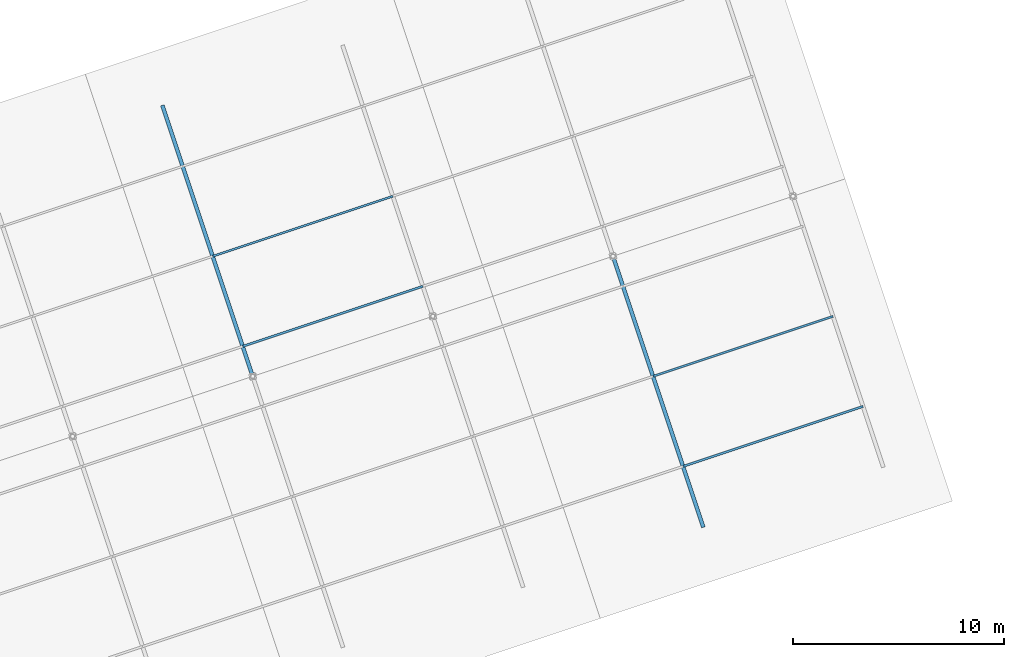
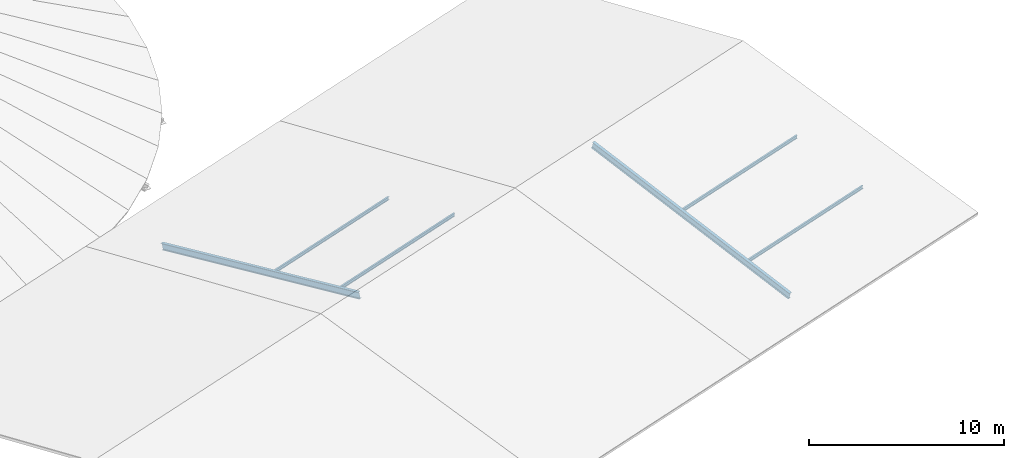
# One storey, part 28 of 107: 6 members.
"""IFC4 building model written with IfcOpenShell, lengths in metres."""

from ifc_helpers import new_model, si_unit, derived_unit, direction, frame, origin, origin_2d, place, context, subcontext, project, spatial, i_section, extrude, material, material_profile, profile_set, type_object, element, save


model = new_model("IFC4")

# Units and contexts
model_context = context("Model", 3, precision=1e-05, world=origin(), true_north=direction((0.0, 1.0)))
body_context = subcontext(model_context, "Body", "Model", "MODEL_VIEW")
ifc_project = project(units=[si_unit("LENGTHUNIT", "METRE"), si_unit("AREAUNIT", "SQUARE_METRE"), si_unit("VOLUMEUNIT", "CUBIC_METRE"), si_unit("PLANEANGLEUNIT", "RADIAN"), si_unit("MASSUNIT", "GRAM", prefix="KILO"), si_unit("THERMODYNAMICTEMPERATUREUNIT", "KELVIN"), si_unit("TIMEUNIT", "SECOND"), derived_unit("THERMALTRANSMITTANCEUNIT", [(si_unit("MASSUNIT", "GRAM", prefix="KILO"), 1), (si_unit("THERMODYNAMICTEMPERATUREUNIT", "KELVIN"), -1), (si_unit("TIMEUNIT", "SECOND"), -3)])], contexts=[model_context])

# Site, building, storey
site_placement = place(None, origin())
site = spatial("IfcSite", under=ifc_project, at=site_placement, CompositionType="ELEMENT")
building_placement = place(site_placement, origin())
building = spatial("IfcBuilding", under=site, at=building_placement, Name="Cambertide Market Hall", CompositionType="ELEMENT")
storey_placement = place(building_placement, frame((0.0, 0.0, 18.300048828125)))
storey = spatial("IfcBuildingStorey", under=building, at=storey_placement, Name="RF", CompositionType="ELEMENT", Elevation=18.300048828125)

# Members
ifc_material_1 = material(Name="Steel S355", Category="steel")
ifc_material_profile_1 = material_profile(ifc_material_1, i_section(OverallWidth=0.179931640625, OverallDepth=0.39990234375, WebThickness=0.008544921875, FlangeThickness=0.013427734375, FilletRadius=0.02099609375, at=origin_2d()), Name="IPE 400")
ifc_profile_set_1 = profile_set([ifc_material_profile_1], Name="Steel S355")
member_type_1 = type_object("IfcMemberType", Name="Radial Fan Rafter IPE 400", PredefinedType="RAFTER", material=ifc_profile_set_1)
member_1_placement = place(storey_placement, frame((114.5380859375, 43.306640625, -4.400146484375), z_axis=(0.307717896075, -0.923171286184, 0.230357272082), x_axis=(0.948685106467, 0.316222340717, 0.0)))
element("IfcMember", 1, at=member_1_placement, inside=storey, type_object=member_type_1, Name="RAF-V3N-3", PredefinedType="RAFTER", context=body_context, shape_type="SweptSolid", body=[
    extrude(i_section(OverallWidth=0.179931640625, OverallDepth=0.39990234375, WebThickness=0.008544921875, FlangeThickness=0.013427734375, FilletRadius=0.02099609375, at=origin_2d()), origin(), (0.0, 0.0, 1.0), 13.873291015625),
])
member_2_placement = place(storey_placement, frame((140.152587890625, 23.38427734375, -4.400146484375), z_axis=(-0.307722895313, 0.923168685938, 0.230361014505), x_axis=(-0.948683298051, -0.316227766017, 0.0)))
element("IfcMember", 2, at=member_2_placement, inside=storey, type_object=member_type_1, Name="RAF-V3S-5", PredefinedType="RAFTER", context=body_context, shape_type="SweptSolid", body=[
    extrude(i_section(OverallWidth=0.179931640625, OverallDepth=0.39990234375, WebThickness=0.008544921875, FlangeThickness=0.013427734375, FilletRadius=0.02099609375, at=origin_2d()), origin(), (0.0, 0.0, 1.0), 13.873046875),
])
ifc_material_2 = material(Name="Steel S275", Category="steel")
ifc_material_profile_2 = material_profile(ifc_material_2, i_section(OverallWidth=0.10009765625, OverallDepth=0.199951171875, WebThickness=0.005615234375, FlangeThickness=0.008544921875, FilletRadius=0.011962890625, at=origin_2d()), Name="IPE 200")
ifc_profile_set_2 = profile_set([ifc_material_profile_2], Name="Steel S275")
member_type_2 = type_object("IfcMemberType", Name="Roof Purlin IPE 200", PredefinedType="PURLIN", material=ifc_profile_set_2)
member_3_placement = place(storey_placement, frame((118.332763671875, 31.92236328125, -1.5595703125), z_axis=(0.948688723175, 0.316211490179, 0.0), x_axis=(-0.316211490179, 0.948688723175, 0.0)))
element("IfcMember", 3, at=member_3_placement, inside=storey, type_object=member_type_2, Name="PUR-V3-3-15", PredefinedType="PURLIN", context=body_context, shape_type="SweptSolid", body=[
    extrude(i_section(OverallWidth=0.10009765625, OverallDepth=0.199951171875, WebThickness=0.005615234375, FlangeThickness=0.008544921875, FilletRadius=0.011962890625, at=origin_2d()), origin(), (0.0, 0.0, 1.0), 9.000244140625),
])
for number, where, z_axis, x_axis, name in (
    (4, (116.909912109375, 36.19140625, -2.624755859375), (0.948686010717, 0.3162196279, 0.0), (-0.3162196279, 0.948686010717, 0.0), "PUR-V3-3-19"),
    (5, (139.203857421875, 26.230224609375, -3.68994140625), (0.948677872554, 0.31624404204, 0.0), (-0.31624404204, 0.948677872554, 0.0), "PUR-V3-5-3"),
    (6, (137.781005859375, 30.499267578125, -2.624755859375), (0.948677872554, 0.31624404204, 0.0), (-0.31624404204, 0.948677872554, 0.0), "PUR-V3-5-7"),
):
    element("IfcMember", number, at=place(storey_placement, frame(where, z_axis=z_axis, x_axis=x_axis)), inside=storey, type_object=member_type_2, Name=name, PredefinedType="PURLIN", context=body_context, shape_type="SweptSolid", body=[
        extrude(i_section(OverallWidth=0.10009765625, OverallDepth=0.199951171875, WebThickness=0.005615234375, FlangeThickness=0.008544921875, FilletRadius=0.011962890625, at=origin_2d()), origin(), (0.0, 0.0, 1.0), 9.0),
    ])

save(model, "model.ifc")
